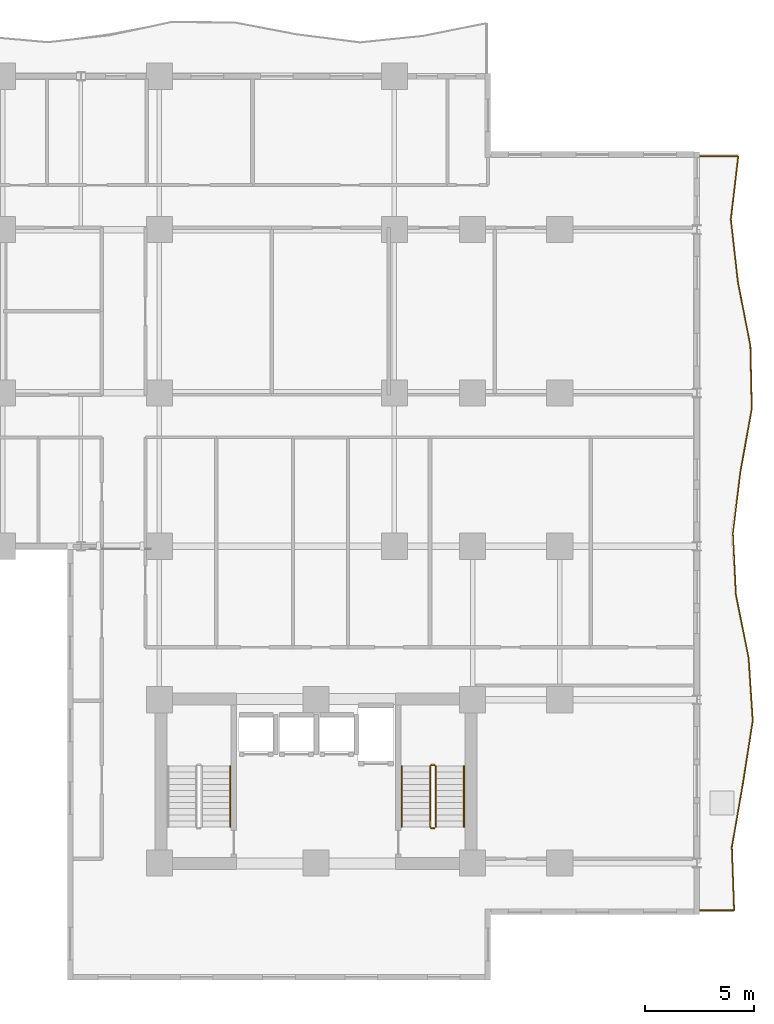
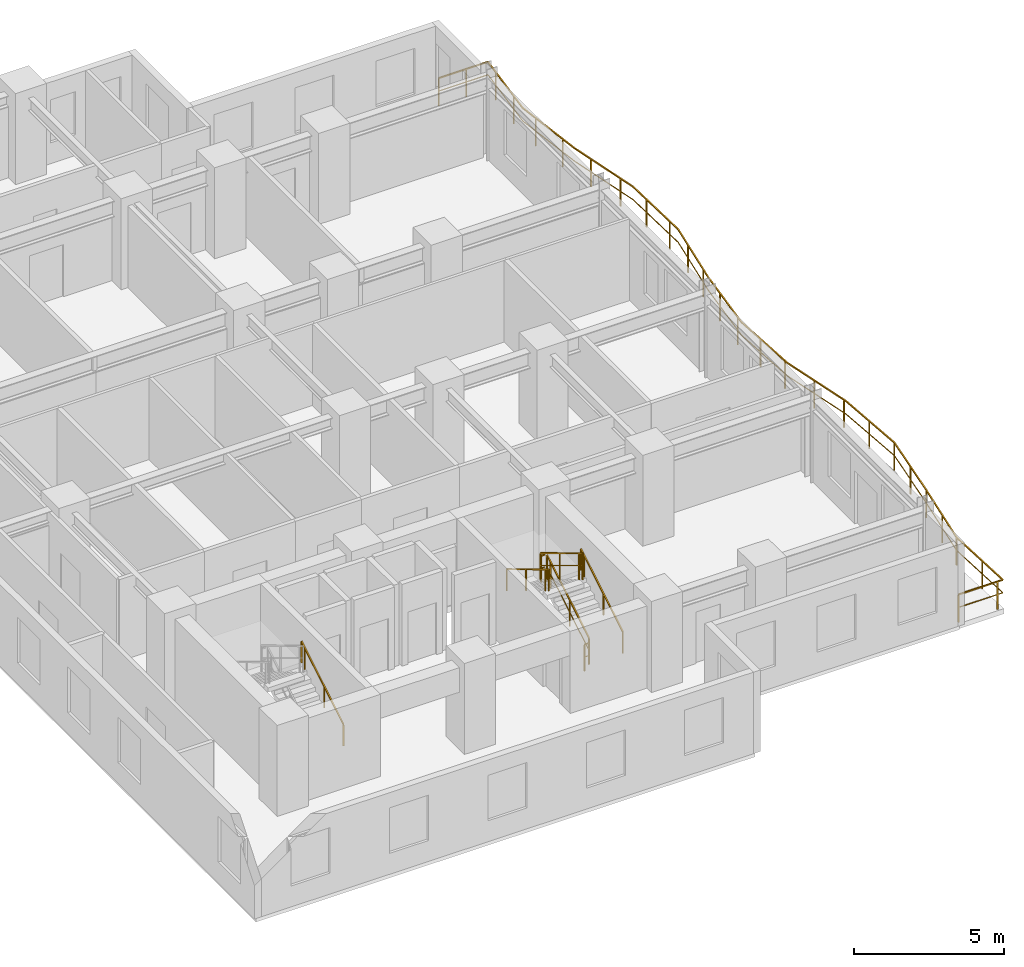
# One storey, part 10 of 11: 8 railings.
"""IFC4 building model written with IfcOpenShell, lengths in metres."""

from ifc_helpers import new_model, si_unit, direction, frame, origin, origin_2d, place, context, subcontext, project, spatial, rectangle, extrude, material, type_object, element, save


model = new_model("IFC4")

# Units and contexts
model_context = context("Model", 3, precision=1e-05, world=origin(), true_north=direction((0.0, 1.0)))
body_context = subcontext(model_context, "Body", "Model", "MODEL_VIEW")
ifc_project = project(units=[si_unit("LENGTHUNIT", "METRE"), si_unit("AREAUNIT", "SQUARE_METRE"), si_unit("VOLUMEUNIT", "CUBIC_METRE"), si_unit("PLANEANGLEUNIT", "RADIAN"), si_unit("MASSUNIT", "GRAM", prefix="KILO")], contexts=[model_context])

# Site, building, storey
site_placement = place(None, origin())
site = spatial("IfcSite", under=ifc_project, at=site_placement, CompositionType="ELEMENT")
building_placement = place(site_placement, origin())
building = spatial("IfcBuilding", under=site, at=building_placement, Name="Kaliganga Portal Commons", CompositionType="ELEMENT")
storey_placement = place(building_placement, frame((0.0, 0.0, 126.699951171875)))
storey = spatial("IfcBuildingStorey", under=building, at=storey_placement, Name="L32", CompositionType="ELEMENT", Elevation=126.699951171875)

# Railings
ifc_material_1 = material(Name="Laminated Safety Glass and Stainless Steel 316", Category="steel")
railing_type_1 = type_object("IfcRailingType", Name="RLG-BAL-1150", PredefinedType="BALUSTRADE", material=ifc_material_1)
railing_1_placement = place(storey_placement, frame((60.7080078125, 4.879638671875, 0.0)))
element("IfcRailing", 1, at=railing_1_placement, inside=storey, type_object=railing_type_1, Name="Balcony Guardrail L32 balc_east", PredefinedType="BALUSTRADE", context=body_context, shape_type="SweptSolid", body=[
    extrude(rectangle(XDim=0.048095703125, YDim=0.048095703125, at=origin_2d()), frame((0.0, 0.0, 1.1259765625), z_axis=(0.99999998979, 0.000142897969, 0.0), x_axis=(-0.000142897969, 0.99999998979, 0.0)), (0.0, 0.0, 1.0), 1.70849609375),
    extrude(rectangle(XDim=0.028076171875, YDim=0.028076171875, at=origin_2d()), frame((0.0, 0.0, 0.597900390625), z_axis=(0.99999998979, 0.000142897969, 0.0), x_axis=(-0.000142897969, 0.99999998979, 0.0)), (0.0, 0.0, 1.0), 1.70849609375),
    extrude(rectangle(XDim=0.048095703125, YDim=0.048095703125, at=origin_2d()), frame((1.70849609375, 0.000244140625, 1.1259765625), z_axis=(-0.035838566739, 0.999357592223, 0.0), x_axis=(-0.999357592223, -0.035838566739, 0.0)), (0.0, 0.0, 1.0), 2.902099609375),
    extrude(rectangle(XDim=0.028076171875, YDim=0.028076171875, at=origin_2d()), frame((1.70849609375, 0.000244140625, 0.597900390625), z_axis=(-0.035838566739, 0.999357592223, 0.0), x_axis=(-0.999357592223, -0.035838566739, 0.0)), (0.0, 0.0, 1.0), 2.902099609375),
    extrude(rectangle(XDim=0.048095703125, YDim=0.048095703125, at=origin_2d()), frame((1.6044921875, 2.900390625, 1.1259765625), z_axis=(0.171603686447, 0.985166064579, 0.0), x_axis=(-0.985166064579, 0.171603686447, 0.0)), (0.0, 0.0, 1.0), 2.943603515625),
    extrude(rectangle(XDim=0.028076171875, YDim=0.028076171875, at=origin_2d()), frame((1.6044921875, 2.900390625, 0.597900390625), z_axis=(0.171603686447, 0.985166064579, 0.0), x_axis=(-0.985166064579, 0.171603686447, 0.0)), (0.0, 0.0, 1.0), 2.943603515625),
    extrude(rectangle(XDim=0.048095703125, YDim=0.048095703125, at=origin_2d()), frame((2.109619140625, 5.80029296875, 1.1259765625), z_axis=(0.15471943378, 0.987958448929, 0.0), x_axis=(-0.987958448929, 0.15471943378, 0.0)), (0.0, 0.0, 1.0), 2.93505859375),
    extrude(rectangle(XDim=0.028076171875, YDim=0.028076171875, at=origin_2d()), frame((2.109619140625, 5.80029296875, 0.597900390625), z_axis=(0.15471943378, 0.987958448929, 0.0), x_axis=(-0.987958448929, 0.15471943378, 0.0)), (0.0, 0.0, 1.0), 2.93505859375),
    extrude(rectangle(XDim=0.048095703125, YDim=0.048095703125, at=origin_2d()), frame((2.563720703125, 8.699951171875, 1.1259765625), z_axis=(-0.065191888456, 0.997872746235, 0.0), x_axis=(-0.997872746235, -0.065191888456, 0.0)), (0.0, 0.0, 1.0), 2.906005859375),
    extrude(rectangle(XDim=0.028076171875, YDim=0.028076171875, at=origin_2d()), frame((2.563720703125, 8.699951171875, 0.597900390625), z_axis=(-0.065191888456, 0.997872746235, 0.0), x_axis=(-0.997872746235, -0.065191888456, 0.0)), (0.0, 0.0, 1.0), 2.906005859375),
    extrude(rectangle(XDim=0.048095703125, YDim=0.048095703125, at=origin_2d()), frame((2.374267578125, 11.599853515625, 1.1259765625), z_axis=(-0.197226878417, 0.980357872631, 0.0), x_axis=(-0.980357872631, -0.197226878417, 0.0)), (0.0, 0.0, 1.0), 2.95849609375),
    extrude(rectangle(XDim=0.028076171875, YDim=0.028076171875, at=origin_2d()), frame((2.374267578125, 11.599853515625, 0.597900390625), z_axis=(-0.197226878417, 0.980357872631, 0.0), x_axis=(-0.980357872631, -0.197226878417, 0.0)), (0.0, 0.0, 1.0), 2.95849609375),
    extrude(rectangle(XDim=0.048095703125, YDim=0.048095703125, at=origin_2d()), frame((1.790771484375, 14.500244140625, 1.1259765625), z_axis=(-0.050148923527, 0.998741751139, 0.0), x_axis=(-0.998741751139, -0.050148923527, 0.0)), (0.0, 0.0, 1.0), 2.82373046875),
    extrude(rectangle(XDim=0.028076171875, YDim=0.028076171875, at=origin_2d()), frame((1.790771484375, 14.500244140625, 0.597900390625), z_axis=(-0.050148923527, 0.998741751139, 0.0), x_axis=(-0.998741751139, -0.050148923527, 0.0)), (0.0, 0.0, 1.0), 2.82373046875),
    extrude(rectangle(XDim=0.048095703125, YDim=0.048095703125, at=origin_2d()), frame((1.649169921875, 17.3203125, 1.1259765625), z_axis=(0.122342693369, 0.992487916994, 0.0), x_axis=(-0.992487916994, 0.122342693369, 0.0)), (0.0, 0.0, 1.0), 2.841552734375),
    extrude(rectangle(XDim=0.028076171875, YDim=0.028076171875, at=origin_2d()), frame((1.649169921875, 17.3203125, 0.597900390625), z_axis=(0.122342693369, 0.992487916994, 0.0), x_axis=(-0.992487916994, 0.122342693369, 0.0)), (0.0, 0.0, 1.0), 2.841552734375),
    extrude(rectangle(XDim=0.048095703125, YDim=0.048095703125, at=origin_2d()), frame((1.996826171875, 20.140625, 1.1259765625), z_axis=(0.177441853143, 0.98413128634, 0.0), x_axis=(-0.98413128634, 0.177441853143, 0.0)), (0.0, 0.0, 1.0), 2.947265625),
    extrude(rectangle(XDim=0.028076171875, YDim=0.028076171875, at=origin_2d()), frame((1.996826171875, 20.140625, 0.597900390625), z_axis=(0.177441853143, 0.98413128634, 0.0), x_axis=(-0.98413128634, 0.177441853143, 0.0)), (0.0, 0.0, 1.0), 2.947265625),
    extrude(rectangle(XDim=0.048095703125, YDim=0.048095703125, at=origin_2d()), frame((2.519775390625, 23.041015625, 1.1259765625), z_axis=(-0.021969942146, 0.999758631692, 0.0), x_axis=(-0.999758631692, -0.021969942146, 0.0)), (0.0, 0.0, 1.0), 2.900390625),
    extrude(rectangle(XDim=0.028076171875, YDim=0.028076171875, at=origin_2d()), frame((2.519775390625, 23.041015625, 0.597900390625), z_axis=(-0.021969942146, 0.999758631692, 0.0), x_axis=(-0.999758631692, -0.021969942146, 0.0)), (0.0, 0.0, 1.0), 2.900390625),
    extrude(rectangle(XDim=0.048095703125, YDim=0.048095703125, at=origin_2d()), frame((2.4560546875, 25.940673828125, 1.1259765625), z_axis=(-0.192348936097, 0.981326595371, 0.0), x_axis=(-0.981326595371, -0.192348936097, 0.0)), (0.0, 0.0, 1.0), 2.954833984375),
    extrude(rectangle(XDim=0.028076171875, YDim=0.028076171875, at=origin_2d()), frame((2.4560546875, 25.940673828125, 0.597900390625), z_axis=(-0.192348936097, 0.981326595371, 0.0), x_axis=(-0.981326595371, -0.192348936097, 0.0)), (0.0, 0.0, 1.0), 2.954833984375),
    extrude(rectangle(XDim=0.048095703125, YDim=0.048095703125, at=origin_2d()), frame((1.8876953125, 28.84033203125, 1.1259765625), z_axis=(-0.113084221633, 0.9935854059, 0.0), x_axis=(-0.9935854059, -0.113084221633, 0.0)), (0.0, 0.0, 1.0), 2.9189453125),
    extrude(rectangle(XDim=0.028076171875, YDim=0.028076171875, at=origin_2d()), frame((1.8876953125, 28.84033203125, 0.597900390625), z_axis=(-0.113084221633, 0.9935854059, 0.0), x_axis=(-0.9935854059, -0.113084221633, 0.0)), (0.0, 0.0, 1.0), 2.9189453125),
    extrude(rectangle(XDim=0.048095703125, YDim=0.048095703125, at=origin_2d()), frame((1.5576171875, 31.740478515625, 1.1259765625), z_axis=(0.11664233955, 0.993173985072, 0.0), x_axis=(-0.993173985072, 0.11664233955, 0.0)), (0.0, 0.0, 1.0), 2.919921875),
    extrude(rectangle(XDim=0.028076171875, YDim=0.028076171875, at=origin_2d()), frame((1.5576171875, 31.740478515625, 0.597900390625), z_axis=(0.11664233955, 0.993173985072, 0.0), x_axis=(-0.993173985072, 0.11664233955, 0.0)), (0.0, 0.0, 1.0), 2.919921875),
    extrude(rectangle(XDim=0.048095703125, YDim=0.048095703125, at=origin_2d()), frame((1.898193359375, 34.640380859375, 1.1259765625), z_axis=(-0.999999966915, 0.000257234718, 0.0), x_axis=(-0.000257234718, -0.999999966915, 0.0)), (0.0, 0.0, 1.0), 1.898193359375),
    extrude(rectangle(XDim=0.028076171875, YDim=0.028076171875, at=origin_2d()), frame((1.898193359375, 34.640380859375, 0.597900390625), z_axis=(-0.999999966915, 0.000257234718, 0.0), x_axis=(-0.000257234718, -0.999999966915, 0.0)), (0.0, 0.0, 1.0), 1.898193359375),
    extrude(rectangle(XDim=0.0419921875, YDim=0.0419921875, at=origin_2d()), origin(), (0.0, 0.0, 1.0), 1.101806640625),
    extrude(rectangle(XDim=0.0419921875, YDim=0.0419921875, at=origin_2d()), frame((1.5, 0.000244140625, 0.0)), (0.0, 0.0, 1.0), 1.101806640625),
    extrude(rectangle(XDim=0.0419921875, YDim=0.0419921875, at=origin_2d()), frame((1.662109375, 1.291015625, 0.0)), (0.0, 0.0, 1.0), 1.101806640625),
    extrude(rectangle(XDim=0.0419921875, YDim=0.0419921875, at=origin_2d()), frame((1.6044921875, 2.900390625, 0.0)), (0.0, 0.0, 1.0), 1.101806640625),
    extrude(rectangle(XDim=0.0419921875, YDim=0.0419921875, at=origin_2d()), frame((1.843017578125, 4.269287109375, 0.0)), (0.0, 0.0, 1.0), 1.101806640625),
    extrude(rectangle(XDim=0.0419921875, YDim=0.0419921875, at=origin_2d()), frame((2.109619140625, 5.80029296875, 0.0)), (0.0, 0.0, 1.0), 1.101806640625),
    extrude(rectangle(XDim=0.0419921875, YDim=0.0419921875, at=origin_2d()), frame((2.333251953125, 7.228759765625, 0.0)), (0.0, 0.0, 1.0), 1.101806640625),
    extrude(rectangle(XDim=0.0419921875, YDim=0.0419921875, at=origin_2d()), frame((2.56298828125, 8.7109375, 0.0)), (0.0, 0.0, 1.0), 1.101806640625),
    extrude(rectangle(XDim=0.0419921875, YDim=0.0419921875, at=origin_2d()), frame((2.46533203125, 10.207763671875, 0.0)), (0.0, 0.0, 1.0), 1.101806640625),
    extrude(rectangle(XDim=0.0419921875, YDim=0.0419921875, at=origin_2d()), frame((2.353515625, 11.70263671875, 0.0)), (0.0, 0.0, 1.0), 1.101806640625),
    extrude(rectangle(XDim=0.0419921875, YDim=0.0419921875, at=origin_2d()), frame((2.057861328125, 13.173095703125, 0.0)), (0.0, 0.0, 1.0), 1.101806640625),
    extrude(rectangle(XDim=0.0419921875, YDim=0.0419921875, at=origin_2d()), frame((1.783447265625, 14.646484375, 0.0)), (0.0, 0.0, 1.0), 1.101806640625),
    extrude(rectangle(XDim=0.0419921875, YDim=0.0419921875, at=origin_2d()), frame((1.708251953125, 16.14453125, 0.0)), (0.0, 0.0, 1.0), 1.101806640625),
    extrude(rectangle(XDim=0.0419921875, YDim=0.0419921875, at=origin_2d()), frame((1.688720703125, 17.640625, 0.0)), (0.0, 0.0, 1.0), 1.101806640625),
    extrude(rectangle(XDim=0.0419921875, YDim=0.0419921875, at=origin_2d()), frame((1.8720703125, 19.12939453125, 0.0)), (0.0, 0.0, 1.0), 1.101806640625),
    extrude(rectangle(XDim=0.0419921875, YDim=0.0419921875, at=origin_2d()), frame((2.082275390625, 20.614013671875, 0.0)), (0.0, 0.0, 1.0), 1.101806640625),
    extrude(rectangle(XDim=0.0419921875, YDim=0.0419921875, at=origin_2d()), frame((2.348388671875, 22.09033203125, 0.0)), (0.0, 0.0, 1.0), 1.101806640625),
    extrude(rectangle(XDim=0.0419921875, YDim=0.0419921875, at=origin_2d()), frame((2.508056640625, 23.57470703125, 0.0)), (0.0, 0.0, 1.0), 1.101806640625),
    extrude(rectangle(XDim=0.0419921875, YDim=0.0419921875, at=origin_2d()), frame((2.47509765625, 25.074462890625, 0.0)), (0.0, 0.0, 1.0), 1.101806640625),
    extrude(rectangle(XDim=0.0419921875, YDim=0.0419921875, at=origin_2d()), frame((2.334228515625, 26.5625, 0.0)), (0.0, 0.0, 1.0), 1.101806640625),
    extrude(rectangle(XDim=0.0419921875, YDim=0.0419921875, at=origin_2d()), frame((2.045654296875, 28.034423828125, 0.0)), (0.0, 0.0, 1.0), 1.101806640625),
    extrude(rectangle(XDim=0.0419921875, YDim=0.0419921875, at=origin_2d()), frame((1.81103515625, 29.5146484375, 0.0)), (0.0, 0.0, 1.0), 1.101806640625),
    extrude(rectangle(XDim=0.0419921875, YDim=0.0419921875, at=origin_2d()), frame((1.641357421875, 31.005126953125, 0.0)), (0.0, 0.0, 1.0), 1.101806640625),
    extrude(rectangle(XDim=0.0419921875, YDim=0.0419921875, at=origin_2d()), frame((1.646240234375, 32.4951171875, 0.0)), (0.0, 0.0, 1.0), 1.101806640625),
    extrude(rectangle(XDim=0.0419921875, YDim=0.0419921875, at=origin_2d()), frame((1.8212890625, 33.98486328125, 0.0)), (0.0, 0.0, 1.0), 1.101806640625),
    extrude(rectangle(XDim=0.0419921875, YDim=0.0419921875, at=origin_2d()), frame((1.05810546875, 34.640625, 0.0)), (0.0, 0.0, 1.0), 1.101806640625),
    extrude(rectangle(XDim=0.0419921875, YDim=0.0419921875, at=origin_2d()), frame((0.0, 34.640869140625, 0.0)), (0.0, 0.0, 1.0), 1.101806640625),
])
ifc_material_2 = material(Name="Galvanized Painted Steel Balustrade", Category="steel")
railing_type_2 = type_object("IfcRailingType", Name="RLG-STAIR-GRD", PredefinedType="GUARDRAIL", material=ifc_material_2)
railing_2_placement = place(storey_placement, frame((48.699951171875, 8.699951171875, 0.168212890625)))
element("IfcRailing", 2, at=railing_2_placement, inside=storey, type_object=railing_type_2, Name="L32 ST-B2 stair guard 1", PredefinedType="GUARDRAIL", context=body_context, shape_type="SweptSolid", body=[
    extrude(rectangle(XDim=0.048095703125, YDim=0.048095703125, at=origin_2d()), frame((0.0, 0.0, 1.072021484375), z_axis=(0.0, 0.857242210791, 0.514913383045), x_axis=(-1.0, 0.0, 0.0)), (0.0, 0.0, 1.0), 3.266357421875),
    extrude(rectangle(XDim=0.028076171875, YDim=0.028076171875, at=origin_2d()), frame((0.0, 0.0, 0.572021484375), z_axis=(0.0, 0.857242210791, 0.514913383045), x_axis=(-1.0, 0.0, 0.0)), (0.0, 0.0, 1.0), 3.266357421875),
    extrude(rectangle(XDim=0.0419921875, YDim=0.0419921875, at=origin_2d()), origin(), (0.0, 0.0, 1.0), 1.052001953125),
    extrude(rectangle(XDim=0.0419921875, YDim=0.0419921875, at=origin_2d()), frame((0.0, 1.285888671875, 0.7724609375)), (0.0, 0.0, 1.0), 1.052001953125),
    extrude(rectangle(XDim=0.0419921875, YDim=0.0419921875, at=origin_2d()), frame((0.0, 2.57177734375, 1.544677734375)), (0.0, 0.0, 1.0), 1.052001953125),
    extrude(rectangle(XDim=0.0419921875, YDim=0.0419921875, at=origin_2d()), frame((0.0, 2.800048828125, 1.681884765625)), (0.0, 0.0, 1.0), 1.052001953125),
])
railing_3_placement = place(storey_placement, frame((48.64990234375, 11.550048828125, 1.85009765625)))
element("IfcRailing", 3, at=railing_3_placement, inside=storey, type_object=railing_type_2, Name="L32 ST-B2 stair guard 2", PredefinedType="GUARDRAIL", context=body_context, shape_type="SweptSolid", body=[
    extrude(rectangle(XDim=0.048095703125, YDim=0.048095703125, at=origin_2d()), frame((0.0, 0.0, 1.076171875), z_axis=(-1.0, 0.0, 0.0), x_axis=(0.0, -1.0, 0.0)), (0.0, 0.0, 1.0), 0.14990234375),
    extrude(rectangle(XDim=0.028076171875, YDim=0.028076171875, at=origin_2d()), frame((0.0, 0.0, 0.572021484375), z_axis=(-1.0, 0.0, 0.0), x_axis=(0.0, -1.0, 0.0)), (0.0, 0.0, 1.0), 0.14990234375),
    extrude(rectangle(XDim=0.0419921875, YDim=0.0419921875, at=origin_2d()), frame((-0.14990234375, 0.0, 0.0)), (0.0, 0.0, 1.0), 1.052001953125),
])
railing_4_placement = place(storey_placement, frame((48.449951171875, 11.5, 2.018310546875)))
element("IfcRailing", 4, at=railing_4_placement, inside=storey, type_object=railing_type_2, Name="L32 ST-B2 stair guard 3", PredefinedType="GUARDRAIL", context=body_context, shape_type="SweptSolid", body=[
    extrude(rectangle(XDim=0.048095703125, YDim=0.048095703125, at=origin_2d()), frame((0.0, 0.0, 1.072021484375), z_axis=(0.0, -0.857275202839, 0.514858452973), x_axis=(1.0, 0.0, 0.0)), (0.0, 0.0, 1.0), 3.26611328125),
    extrude(rectangle(XDim=0.028076171875, YDim=0.028076171875, at=origin_2d()), frame((0.0, 0.0, 0.572021484375), z_axis=(0.0, -0.857275202839, 0.514858452973), x_axis=(1.0, 0.0, 0.0)), (0.0, 0.0, 1.0), 3.26611328125),
    extrude(rectangle(XDim=0.0419921875, YDim=0.0419921875, at=origin_2d()), origin(), (0.0, 0.0, 1.0), 1.052001953125),
    extrude(rectangle(XDim=0.0419921875, YDim=0.0419921875, at=origin_2d()), frame((0.0, -1.285888671875, 0.772216796875)), (0.0, 0.0, 1.0), 1.052001953125),
    extrude(rectangle(XDim=0.0419921875, YDim=0.0419921875, at=origin_2d()), frame((0.0, -2.57177734375, 1.544677734375)), (0.0, 0.0, 1.0), 1.052001953125),
    extrude(rectangle(XDim=0.0419921875, YDim=0.0419921875, at=origin_2d()), frame((0.0, -2.800048828125, 1.681640625)), (0.0, 0.0, 1.0), 1.052001953125),
])
railing_5_placement = place(storey_placement, frame((48.64990234375, 8.64990234375, 0.0)))
element("IfcRailing", 5, at=railing_5_placement, inside=storey, type_object=railing_type_2, Name="L32 ST-B2 stair guard 4", PredefinedType="GUARDRAIL", context=body_context, shape_type="SweptSolid", body=[
    extrude(rectangle(XDim=0.048095703125, YDim=0.048095703125, at=origin_2d()), frame((0.0, 0.0, 1.076171875), z_axis=(-1.0, 0.0, 0.0), x_axis=(0.0, -1.0, 0.0)), (0.0, 0.0, 1.0), 0.14990234375),
    extrude(rectangle(XDim=0.028076171875, YDim=0.028076171875, at=origin_2d()), frame((0.0, 0.0, 0.572021484375), z_axis=(-1.0, 0.0, 0.0), x_axis=(0.0, -1.0, 0.0)), (0.0, 0.0, 1.0), 0.14990234375),
    extrude(rectangle(XDim=0.0419921875, YDim=0.0419921875, at=origin_2d()), frame((-0.14990234375, 0.0, 0.0)), (0.0, 0.0, 1.0), 1.052001953125),
])
ifc_material_3 = material(Name="Brushed Stainless Steel 316", Category="steel")
railing_type_3 = type_object("IfcRailingType", Name="RLG-STAIR-HR", PredefinedType="HANDRAIL", material=ifc_material_3)
for number, where, name in (
    (6, (39.25, 8.699951171875, 0.168212890625), "L32 ST-B1 stair handrail 1"),
    (7, (50.0, 8.699951171875, 0.168212890625), "L32 ST-B2 stair handrail 1"),
):
    element("IfcRailing", number, at=place(storey_placement, frame(where)), inside=storey, type_object=railing_type_3, Name=name, PredefinedType="HANDRAIL", context=body_context, shape_type="SweptSolid", body=[
        extrude(rectangle(XDim=0.048095703125, YDim=0.048095703125, at=origin_2d()), frame((0.0, 0.0, 0.871826171875), z_axis=(0.0, 0.857242210791, 0.514913383045), x_axis=(-1.0, 0.0, 0.0)), (0.0, 0.0, 1.0), 3.266357421875),
        extrude(rectangle(XDim=0.0419921875, YDim=0.0419921875, at=origin_2d()), origin(), (0.0, 0.0, 1.0), 0.851806640625),
        extrude(rectangle(XDim=0.0419921875, YDim=0.0419921875, at=origin_2d()), frame((0.0, 1.285888671875, 0.7724609375)), (0.0, 0.0, 1.0), 0.851806640625),
        extrude(rectangle(XDim=0.0419921875, YDim=0.0419921875, at=origin_2d()), frame((0.0, 2.57177734375, 1.544677734375)), (0.0, 0.0, 1.0), 0.851806640625),
        extrude(rectangle(XDim=0.0419921875, YDim=0.0419921875, at=origin_2d()), frame((0.0, 2.800048828125, 1.681884765625)), (0.0, 0.0, 1.0), 0.851806640625),
    ])
railing_6_placement = place(storey_placement, frame((47.14990234375, 11.5, 2.018310546875)))
element("IfcRailing", 8, at=railing_6_placement, inside=storey, type_object=railing_type_3, Name="L32 ST-B2 stair handrail 2", PredefinedType="HANDRAIL", context=body_context, shape_type="SweptSolid", body=[
    extrude(rectangle(XDim=0.048095703125, YDim=0.048095703125, at=origin_2d()), frame((0.0, 0.0, 0.871826171875), z_axis=(0.0, -0.857275202839, 0.514858452973), x_axis=(1.0, 0.0, 0.0)), (0.0, 0.0, 1.0), 3.26611328125),
    extrude(rectangle(XDim=0.0419921875, YDim=0.0419921875, at=origin_2d()), origin(), (0.0, 0.0, 1.0), 0.851806640625),
    extrude(rectangle(XDim=0.0419921875, YDim=0.0419921875, at=origin_2d()), frame((0.0, -1.285888671875, 0.772216796875)), (0.0, 0.0, 1.0), 0.851806640625),
    extrude(rectangle(XDim=0.0419921875, YDim=0.0419921875, at=origin_2d()), frame((0.0, -2.57177734375, 1.544677734375)), (0.0, 0.0, 1.0), 0.851806640625),
    extrude(rectangle(XDim=0.0419921875, YDim=0.0419921875, at=origin_2d()), frame((0.0, -2.800048828125, 1.681640625)), (0.0, 0.0, 1.0), 0.851806640625),
])

save(model, "model.ifc")
